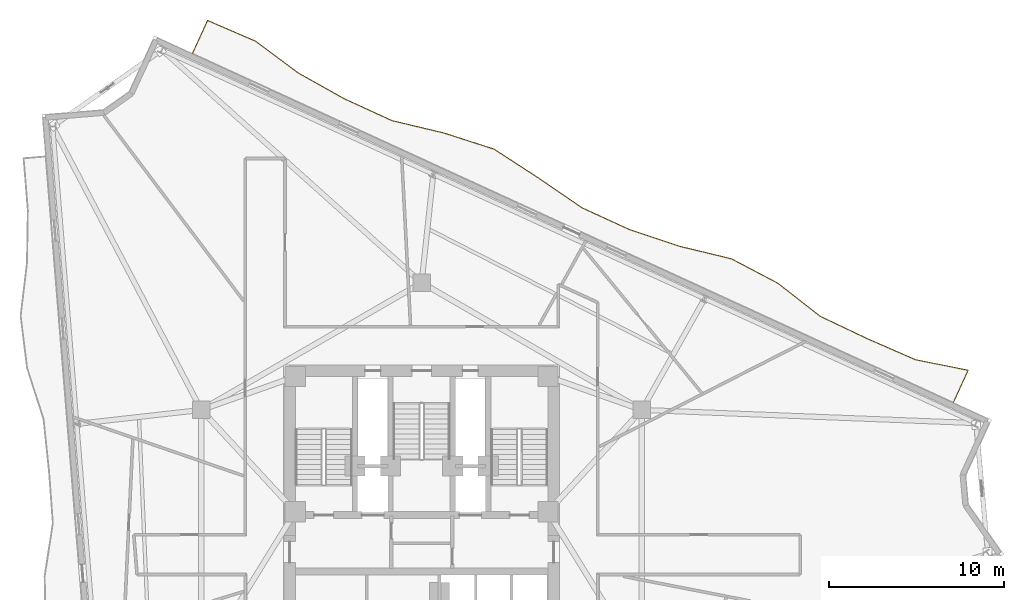
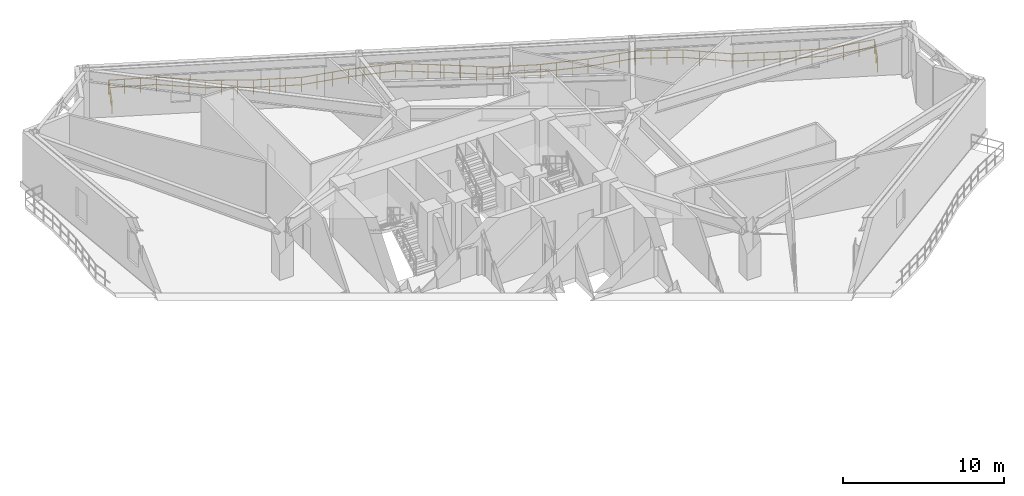
# One storey, part 14 of 14: 1 railing.
"""IFC4 building model written with IfcOpenShell, lengths in metres."""

from ifc_helpers import new_model, si_unit, direction, frame, origin, origin_2d, place, context, subcontext, project, spatial, rectangle, extrude, material, type_object, element, save


model = new_model("IFC4")

# Units and contexts
model_context = context("Model", 3, precision=1e-05, world=origin(), true_north=direction((0.0, 1.0)))
body_context = subcontext(model_context, "Body", "Model", "MODEL_VIEW")
ifc_project = project(units=[si_unit("LENGTHUNIT", "METRE"), si_unit("AREAUNIT", "SQUARE_METRE"), si_unit("VOLUMEUNIT", "CUBIC_METRE"), si_unit("PLANEANGLEUNIT", "RADIAN"), si_unit("MASSUNIT", "GRAM", prefix="KILO")], contexts=[model_context])

# Site, building, storey
site_placement = place(None, origin())
site = spatial("IfcSite", under=ifc_project, at=site_placement, CompositionType="ELEMENT")
building_placement = place(site_placement, origin())
building = spatial("IfcBuilding", under=site, at=building_placement, Name="Apsidion Concourse Tower", CompositionType="ELEMENT")
storey_placement = place(building_placement, frame((0.0, 0.0, 194.199951171875)))
storey = spatial("IfcBuildingStorey", under=building, at=storey_placement, Name="L45", CompositionType="ELEMENT", Elevation=194.199951171875)

# Railing
ifc_material = material(Name="Brushed stainless steel 316", Category="steel")
railing_type = type_object("IfcRailingType", Name="RL-BAL-1120", PredefinedType="BALUSTRADE", material=ifc_material)
railing_placement = place(storey_placement, frame((-13.060546875, 27.586181640625, 0.0)))
element("IfcRailing", 1, at=railing_placement, inside=storey, type_object=railing_type, Name="L45 Face 3 Rippling Balcony Balustrade", PredefinedType="BALUSTRADE", context=body_context, shape_type="SweptSolid", body=[
    extrude(rectangle(XDim=0.048095703125, YDim=0.048095703125, at=origin_2d()), frame((0.0, 0.0, 1.09619140625), z_axis=(0.41689592359, 0.908954228162, 0.0), x_axis=(-0.908954228162, 0.41689592359, 0.0)), (0.0, 0.0, 1.0), 2.05615234375),
    extrude(rectangle(XDim=0.048095703125, YDim=0.048095703125, at=origin_2d()), frame((0.0, 0.0, 0.5361328125), z_axis=(0.41689592359, 0.908954228162, 0.0), x_axis=(-0.908954228162, 0.41689592359, 0.0)), (0.0, 0.0, 1.0), 2.05615234375),
    extrude(rectangle(XDim=0.048095703125, YDim=0.048095703125, at=origin_2d()), frame((0.857177734375, 1.868896484375, 1.09619140625), z_axis=(0.918032571918, -0.39650497714, 0.0), x_axis=(0.39650497714, 0.918032571918, 0.0)), (0.0, 0.0, 1.0), 2.98388671875),
    extrude(rectangle(XDim=0.048095703125, YDim=0.048095703125, at=origin_2d()), frame((0.857177734375, 1.868896484375, 0.5361328125), z_axis=(0.918032571918, -0.39650497714, 0.0), x_axis=(0.39650497714, 0.918032571918, 0.0)), (0.0, 0.0, 1.0), 2.98388671875),
    extrude(rectangle(XDim=0.048095703125, YDim=0.048095703125, at=origin_2d()), frame((3.596435546875, 0.685791015625, 1.09619140625), z_axis=(0.802490844642, -0.596664431875, 0.0), x_axis=(0.596664431875, 0.802490844642, 0.0)), (0.0, 0.0, 1.0), 3.049560546875),
    extrude(rectangle(XDim=0.048095703125, YDim=0.048095703125, at=origin_2d()), frame((3.596435546875, 0.685791015625, 0.5361328125), z_axis=(0.802490844642, -0.596664431875, 0.0), x_axis=(0.596664431875, 0.802490844642, 0.0)), (0.0, 0.0, 1.0), 3.049560546875),
    extrude(rectangle(XDim=0.048095703125, YDim=0.048095703125, at=origin_2d()), frame((6.043701171875, -1.1337890625, 1.09619140625), z_axis=(0.872671528084, -0.488307694052, 0.0), x_axis=(0.488307694052, 0.872671528084, 0.0)), (0.0, 0.0, 1.0), 2.992431640625),
    extrude(rectangle(XDim=0.048095703125, YDim=0.048095703125, at=origin_2d()), frame((6.043701171875, -1.1337890625, 0.5361328125), z_axis=(0.872671528084, -0.488307694052, 0.0), x_axis=(0.488307694052, 0.872671528084, 0.0)), (0.0, 0.0, 1.0), 2.992431640625),
    extrude(rectangle(XDim=0.048095703125, YDim=0.048095703125, at=origin_2d()), frame((8.655029296875, -2.594970703125, 1.09619140625), z_axis=(0.9089485399, -0.416908325432, 0.0), x_axis=(0.416908325432, 0.9089485399, 0.0)), (0.0, 0.0, 1.0), 2.983154296875),
    extrude(rectangle(XDim=0.048095703125, YDim=0.048095703125, at=origin_2d()), frame((8.655029296875, -2.594970703125, 0.5361328125), z_axis=(0.9089485399, -0.416908325432, 0.0), x_axis=(0.416908325432, 0.9089485399, 0.0)), (0.0, 0.0, 1.0), 2.983154296875),
    extrude(rectangle(XDim=0.048095703125, YDim=0.048095703125, at=origin_2d()), frame((11.366455078125, -3.838623046875, 1.09619140625), z_axis=(0.972715699765, -0.232000360842, 0.0), x_axis=(0.232000360842, 0.972715699765, 0.0)), (0.0, 0.0, 1.0), 3.041259765625),
    extrude(rectangle(XDim=0.048095703125, YDim=0.048095703125, at=origin_2d()), frame((11.366455078125, -3.838623046875, 0.5361328125), z_axis=(0.972715699765, -0.232000360842, 0.0), x_axis=(0.232000360842, 0.972715699765, 0.0)), (0.0, 0.0, 1.0), 3.041259765625),
    extrude(rectangle(XDim=0.048095703125, YDim=0.048095703125, at=origin_2d()), frame((14.32470703125, -4.544189453125, 1.09619140625), z_axis=(0.951986273475, -0.306140711301, 0.0), x_axis=(0.306140711301, 0.951986273475, 0.0)), (0.0, 0.0, 1.0), 3.004150390625),
    extrude(rectangle(XDim=0.048095703125, YDim=0.048095703125, at=origin_2d()), frame((14.32470703125, -4.544189453125, 0.5361328125), z_axis=(0.951986273475, -0.306140711301, 0.0), x_axis=(0.306140711301, 0.951986273475, 0.0)), (0.0, 0.0, 1.0), 3.004150390625),
    extrude(rectangle(XDim=0.048095703125, YDim=0.048095703125, at=origin_2d()), frame((17.1845703125, -5.4638671875, 1.09619140625), z_axis=(0.83902223451, -0.544097132871, 0.0), x_axis=(0.544097132871, 0.83902223451, 0.0)), (0.0, 0.0, 1.0), 3.014892578125),
    extrude(rectangle(XDim=0.048095703125, YDim=0.048095703125, at=origin_2d()), frame((17.1845703125, -5.4638671875, 0.5361328125), z_axis=(0.83902223451, -0.544097132871, 0.0), x_axis=(0.544097132871, 0.83902223451, 0.0)), (0.0, 0.0, 1.0), 3.014892578125),
    extrude(rectangle(XDim=0.048095703125, YDim=0.048095703125, at=origin_2d()), frame((19.714111328125, -7.104248046875, 1.09619140625), z_axis=(0.825275603053, -0.564730182482, 0.0), x_axis=(0.564730182482, 0.825275603053, 0.0)), (0.0, 0.0, 1.0), 3.026611328125),
    extrude(rectangle(XDim=0.048095703125, YDim=0.048095703125, at=origin_2d()), frame((19.714111328125, -7.104248046875, 0.5361328125), z_axis=(0.825275603053, -0.564730182482, 0.0), x_axis=(0.564730182482, 0.825275603053, 0.0)), (0.0, 0.0, 1.0), 3.026611328125),
    extrude(rectangle(XDim=0.048095703125, YDim=0.048095703125, at=origin_2d()), frame((22.2119140625, -8.8134765625, 1.09619140625), z_axis=(0.908903293118, -0.417006958887, 0.0), x_axis=(0.417006958887, 0.908903293118, 0.0)), (0.0, 0.0, 1.0), 2.98291015625),
    extrude(rectangle(XDim=0.048095703125, YDim=0.048095703125, at=origin_2d()), frame((22.2119140625, -8.8134765625, 0.5361328125), z_axis=(0.908903293118, -0.417006958887, 0.0), x_axis=(0.417006958887, 0.908903293118, 0.0)), (0.0, 0.0, 1.0), 2.98291015625),
    extrude(rectangle(XDim=0.048095703125, YDim=0.048095703125, at=origin_2d()), frame((24.923095703125, -10.057373046875, 1.09619140625), z_axis=(0.948845882902, -0.315739592861, 0.0), x_axis=(0.315739592861, 0.948845882902, 0.0)), (0.0, 0.0, 1.0), 3.0009765625),
    extrude(rectangle(XDim=0.048095703125, YDim=0.048095703125, at=origin_2d()), frame((24.923095703125, -10.057373046875, 0.5361328125), z_axis=(0.948845882902, -0.315739592861, 0.0), x_axis=(0.315739592861, 0.948845882902, 0.0)), (0.0, 0.0, 1.0), 3.0009765625),
    extrude(rectangle(XDim=0.048095703125, YDim=0.048095703125, at=origin_2d()), frame((27.7705078125, -11.0048828125, 1.09619140625), z_axis=(0.972003176559, -0.234967710036, 0.0), x_axis=(0.234967710036, 0.972003176559, 0.0)), (0.0, 0.0, 1.0), 3.039306640625),
    extrude(rectangle(XDim=0.048095703125, YDim=0.048095703125, at=origin_2d()), frame((27.7705078125, -11.0048828125, 0.5361328125), z_axis=(0.972003176559, -0.234967710036, 0.0), x_axis=(0.234967710036, 0.972003176559, 0.0)), (0.0, 0.0, 1.0), 3.039306640625),
    extrude(rectangle(XDim=0.048095703125, YDim=0.048095703125, at=origin_2d()), frame((30.724609375, -11.718994140625, 1.09619140625), z_axis=(0.885086579221, -0.465426414466, 0.0), x_axis=(0.465426414466, 0.885086579221, 0.0)), (0.0, 0.0, 1.0), 2.9873046875),
    extrude(rectangle(XDim=0.048095703125, YDim=0.048095703125, at=origin_2d()), frame((30.724609375, -11.718994140625, 0.5361328125), z_axis=(0.885086579221, -0.465426414466, 0.0), x_axis=(0.465426414466, 0.885086579221, 0.0)), (0.0, 0.0, 1.0), 2.9873046875),
    extrude(rectangle(XDim=0.048095703125, YDim=0.048095703125, at=origin_2d()), frame((33.36865234375, -13.109375, 1.09619140625), z_axis=(0.788102838837, -0.615543593433, 0.0), x_axis=(0.615543593433, 0.788102838837, 0.0)), (0.0, 0.0, 1.0), 3.06591796875),
    extrude(rectangle(XDim=0.048095703125, YDim=0.048095703125, at=origin_2d()), frame((33.36865234375, -13.109375, 0.5361328125), z_axis=(0.788102838837, -0.615543593433, 0.0), x_axis=(0.615543593433, 0.788102838837, 0.0)), (0.0, 0.0, 1.0), 3.06591796875),
    extrude(rectangle(XDim=0.048095703125, YDim=0.048095703125, at=origin_2d()), frame((35.784912109375, -14.99658203125, 1.09619140625), z_axis=(0.903342514724, -0.428919923869, 0.0), x_axis=(0.428919923869, 0.903342514724, 0.0)), (0.0, 0.0, 1.0), 2.983154296875),
    extrude(rectangle(XDim=0.048095703125, YDim=0.048095703125, at=origin_2d()), frame((35.784912109375, -14.99658203125, 0.5361328125), z_axis=(0.903342514724, -0.428919923869, 0.0), x_axis=(0.428919923869, 0.903342514724, 0.0)), (0.0, 0.0, 1.0), 2.983154296875),
    extrude(rectangle(XDim=0.048095703125, YDim=0.048095703125, at=origin_2d()), frame((38.479736328125, -16.276123046875, 1.09619140625), z_axis=(0.916530652491, -0.399964452225, 0.0), x_axis=(0.399964452225, 0.916530652491, 0.0)), (0.0, 0.0, 1.0), 2.983642578125),
    extrude(rectangle(XDim=0.048095703125, YDim=0.048095703125, at=origin_2d()), frame((38.479736328125, -16.276123046875, 0.5361328125), z_axis=(0.916530652491, -0.399964452225, 0.0), x_axis=(0.399964452225, 0.916530652491, 0.0)), (0.0, 0.0, 1.0), 2.983642578125),
    extrude(rectangle(XDim=0.048095703125, YDim=0.048095703125, at=origin_2d()), frame((41.21435546875, -17.469482421875, 1.09619140625), z_axis=(0.980421037708, -0.196912642608, 0.0), x_axis=(0.196912642608, 0.980421037708, 0.0)), (0.0, 0.0, 1.0), 3.06494140625),
    extrude(rectangle(XDim=0.048095703125, YDim=0.048095703125, at=origin_2d()), frame((41.21435546875, -17.469482421875, 0.5361328125), z_axis=(0.980421037708, -0.196912642608, 0.0), x_axis=(0.196912642608, 0.980421037708, 0.0)), (0.0, 0.0, 1.0), 3.06494140625),
    extrude(rectangle(XDim=0.048095703125, YDim=0.048095703125, at=origin_2d()), frame((44.21923828125, -18.072998046875, 1.09619140625), z_axis=(-0.416930773901, -0.908938243102, 0.0), x_axis=(0.908938243102, -0.416930773901, 0.0)), (0.0, 0.0, 1.0), 2.009765625),
    extrude(rectangle(XDim=0.048095703125, YDim=0.048095703125, at=origin_2d()), frame((44.21923828125, -18.072998046875, 0.5361328125), z_axis=(-0.416930773901, -0.908938243102, 0.0), x_axis=(0.908938243102, -0.416930773901, 0.0)), (0.0, 0.0, 1.0), 2.009765625),
    extrude(rectangle(XDim=0.0419921875, YDim=0.0419921875, at=origin_2d()), origin(), (0.0, 0.0, 1.0), 1.072021484375),
    extrude(rectangle(XDim=0.0419921875, YDim=0.0419921875, at=origin_2d()), frame((0.4287109375, 0.9345703125, 0.0)), (0.0, 0.0, 1.0), 1.072021484375),
    extrude(rectangle(XDim=0.0419921875, YDim=0.0419921875, at=origin_2d()), frame((0.857177734375, 1.868896484375, 0.0)), (0.0, 0.0, 1.0), 1.072021484375),
    extrude(rectangle(XDim=0.0419921875, YDim=0.0419921875, at=origin_2d()), frame((1.770263671875, 1.474609375, 0.0)), (0.0, 0.0, 1.0), 1.072021484375),
    extrude(rectangle(XDim=0.0419921875, YDim=0.0419921875, at=origin_2d()), frame((2.683349609375, 1.080078125, 0.0)), (0.0, 0.0, 1.0), 1.072021484375),
    extrude(rectangle(XDim=0.0419921875, YDim=0.0419921875, at=origin_2d()), frame((3.596435546875, 0.685791015625, 0.0)), (0.0, 0.0, 1.0), 1.072021484375),
    extrude(rectangle(XDim=0.0419921875, YDim=0.0419921875, at=origin_2d()), frame((4.412109375, 0.079345703125, 0.0)), (0.0, 0.0, 1.0), 1.072021484375),
    extrude(rectangle(XDim=0.0419921875, YDim=0.0419921875, at=origin_2d()), frame((5.22802734375, -0.52734375, 0.0)), (0.0, 0.0, 1.0), 1.072021484375),
    extrude(rectangle(XDim=0.0419921875, YDim=0.0419921875, at=origin_2d()), frame((6.043701171875, -1.1337890625, 0.0)), (0.0, 0.0, 1.0), 1.072021484375),
    extrude(rectangle(XDim=0.0419921875, YDim=0.0419921875, at=origin_2d()), frame((6.9140625, -1.620849609375, 0.0)), (0.0, 0.0, 1.0), 1.072021484375),
    extrude(rectangle(XDim=0.0419921875, YDim=0.0419921875, at=origin_2d()), frame((7.78466796875, -2.10791015625, 0.0)), (0.0, 0.0, 1.0), 1.072021484375),
    extrude(rectangle(XDim=0.0419921875, YDim=0.0419921875, at=origin_2d()), frame((8.655029296875, -2.594970703125, 0.0)), (0.0, 0.0, 1.0), 1.072021484375),
    extrude(rectangle(XDim=0.0419921875, YDim=0.0419921875, at=origin_2d()), frame((9.558837890625, -3.009521484375, 0.0)), (0.0, 0.0, 1.0), 1.072021484375),
    extrude(rectangle(XDim=0.0419921875, YDim=0.0419921875, at=origin_2d()), frame((10.462646484375, -3.424072265625, 0.0)), (0.0, 0.0, 1.0), 1.072021484375),
    extrude(rectangle(XDim=0.0419921875, YDim=0.0419921875, at=origin_2d()), frame((11.366455078125, -3.838623046875, 0.0)), (0.0, 0.0, 1.0), 1.072021484375),
    extrude(rectangle(XDim=0.0419921875, YDim=0.0419921875, at=origin_2d()), frame((12.3525390625, -4.07373046875, 0.0)), (0.0, 0.0, 1.0), 1.072021484375),
    extrude(rectangle(XDim=0.0419921875, YDim=0.0419921875, at=origin_2d()), frame((13.338623046875, -4.30908203125, 0.0)), (0.0, 0.0, 1.0), 1.072021484375),
    extrude(rectangle(XDim=0.0419921875, YDim=0.0419921875, at=origin_2d()), frame((14.32470703125, -4.544189453125, 0.0)), (0.0, 0.0, 1.0), 1.072021484375),
    extrude(rectangle(XDim=0.0419921875, YDim=0.0419921875, at=origin_2d()), frame((15.278076171875, -4.850830078125, 0.0)), (0.0, 0.0, 1.0), 1.072021484375),
    extrude(rectangle(XDim=0.0419921875, YDim=0.0419921875, at=origin_2d()), frame((16.231201171875, -5.1572265625, 0.0)), (0.0, 0.0, 1.0), 1.072021484375),
    extrude(rectangle(XDim=0.0419921875, YDim=0.0419921875, at=origin_2d()), frame((17.1845703125, -5.4638671875, 0.0)), (0.0, 0.0, 1.0), 1.072021484375),
    extrude(rectangle(XDim=0.0419921875, YDim=0.0419921875, at=origin_2d()), frame((18.02783203125, -6.0107421875, 0.0)), (0.0, 0.0, 1.0), 1.072021484375),
    extrude(rectangle(XDim=0.0419921875, YDim=0.0419921875, at=origin_2d()), frame((18.870849609375, -6.557373046875, 0.0)), (0.0, 0.0, 1.0), 1.072021484375),
    extrude(rectangle(XDim=0.0419921875, YDim=0.0419921875, at=origin_2d()), frame((19.714111328125, -7.104248046875, 0.0)), (0.0, 0.0, 1.0), 1.072021484375),
    extrude(rectangle(XDim=0.0419921875, YDim=0.0419921875, at=origin_2d()), frame((20.546630859375, -7.674072265625, 0.0)), (0.0, 0.0, 1.0), 1.072021484375),
    extrude(rectangle(XDim=0.0419921875, YDim=0.0419921875, at=origin_2d()), frame((21.37939453125, -8.24365234375, 0.0)), (0.0, 0.0, 1.0), 1.072021484375),
    extrude(rectangle(XDim=0.0419921875, YDim=0.0419921875, at=origin_2d()), frame((22.2119140625, -8.8134765625, 0.0)), (0.0, 0.0, 1.0), 1.072021484375),
    extrude(rectangle(XDim=0.0419921875, YDim=0.0419921875, at=origin_2d()), frame((23.11572265625, -9.22802734375, 0.0)), (0.0, 0.0, 1.0), 1.072021484375),
    extrude(rectangle(XDim=0.0419921875, YDim=0.0419921875, at=origin_2d()), frame((24.019287109375, -9.642822265625, 0.0)), (0.0, 0.0, 1.0), 1.072021484375),
    extrude(rectangle(XDim=0.0419921875, YDim=0.0419921875, at=origin_2d()), frame((24.923095703125, -10.057373046875, 0.0)), (0.0, 0.0, 1.0), 1.072021484375),
    extrude(rectangle(XDim=0.0419921875, YDim=0.0419921875, at=origin_2d()), frame((25.872314453125, -10.373291015625, 0.0)), (0.0, 0.0, 1.0), 1.072021484375),
    extrude(rectangle(XDim=0.0419921875, YDim=0.0419921875, at=origin_2d()), frame((26.8212890625, -10.68896484375, 0.0)), (0.0, 0.0, 1.0), 1.072021484375),
    extrude(rectangle(XDim=0.0419921875, YDim=0.0419921875, at=origin_2d()), frame((27.7705078125, -11.0048828125, 0.0)), (0.0, 0.0, 1.0), 1.072021484375),
    extrude(rectangle(XDim=0.0419921875, YDim=0.0419921875, at=origin_2d()), frame((28.755126953125, -11.242919921875, 0.0)), (0.0, 0.0, 1.0), 1.072021484375),
    extrude(rectangle(XDim=0.0419921875, YDim=0.0419921875, at=origin_2d()), frame((29.739990234375, -11.48095703125, 0.0)), (0.0, 0.0, 1.0), 1.072021484375),
    extrude(rectangle(XDim=0.0419921875, YDim=0.0419921875, at=origin_2d()), frame((30.724609375, -11.718994140625, 0.0)), (0.0, 0.0, 1.0), 1.072021484375),
    extrude(rectangle(XDim=0.0419921875, YDim=0.0419921875, at=origin_2d()), frame((31.60595703125, -12.182373046875, 0.0)), (0.0, 0.0, 1.0), 1.072021484375),
    extrude(rectangle(XDim=0.0419921875, YDim=0.0419921875, at=origin_2d()), frame((32.4873046875, -12.64599609375, 0.0)), (0.0, 0.0, 1.0), 1.072021484375),
    extrude(rectangle(XDim=0.0419921875, YDim=0.0419921875, at=origin_2d()), frame((33.36865234375, -13.109375, 0.0)), (0.0, 0.0, 1.0), 1.072021484375),
    extrude(rectangle(XDim=0.0419921875, YDim=0.0419921875, at=origin_2d()), frame((34.174072265625, -13.738525390625, 0.0)), (0.0, 0.0, 1.0), 1.072021484375),
    extrude(rectangle(XDim=0.0419921875, YDim=0.0419921875, at=origin_2d()), frame((34.9794921875, -14.367431640625, 0.0)), (0.0, 0.0, 1.0), 1.072021484375),
    extrude(rectangle(XDim=0.0419921875, YDim=0.0419921875, at=origin_2d()), frame((35.784912109375, -14.99658203125, 0.0)), (0.0, 0.0, 1.0), 1.072021484375),
    extrude(rectangle(XDim=0.0419921875, YDim=0.0419921875, at=origin_2d()), frame((36.68310546875, -15.423095703125, 0.0)), (0.0, 0.0, 1.0), 1.072021484375),
    extrude(rectangle(XDim=0.0419921875, YDim=0.0419921875, at=origin_2d()), frame((37.58154296875, -15.849609375, 0.0)), (0.0, 0.0, 1.0), 1.072021484375),
    extrude(rectangle(XDim=0.0419921875, YDim=0.0419921875, at=origin_2d()), frame((38.479736328125, -16.276123046875, 0.0)), (0.0, 0.0, 1.0), 1.072021484375),
    extrude(rectangle(XDim=0.0419921875, YDim=0.0419921875, at=origin_2d()), frame((39.391357421875, -16.673828125, 0.0)), (0.0, 0.0, 1.0), 1.072021484375),
    extrude(rectangle(XDim=0.0419921875, YDim=0.0419921875, at=origin_2d()), frame((40.302734375, -17.07177734375, 0.0)), (0.0, 0.0, 1.0), 1.072021484375),
    extrude(rectangle(XDim=0.0419921875, YDim=0.0419921875, at=origin_2d()), frame((41.21435546875, -17.469482421875, 0.0)), (0.0, 0.0, 1.0), 1.072021484375),
    extrude(rectangle(XDim=0.0419921875, YDim=0.0419921875, at=origin_2d()), frame((42.216064453125, -17.670654296875, 0.0)), (0.0, 0.0, 1.0), 1.072021484375),
    extrude(rectangle(XDim=0.0419921875, YDim=0.0419921875, at=origin_2d()), frame((43.217529296875, -17.871826171875, 0.0)), (0.0, 0.0, 1.0), 1.072021484375),
    extrude(rectangle(XDim=0.0419921875, YDim=0.0419921875, at=origin_2d()), frame((44.21923828125, -18.072998046875, 0.0)), (0.0, 0.0, 1.0), 1.072021484375),
    extrude(rectangle(XDim=0.0419921875, YDim=0.0419921875, at=origin_2d()), frame((43.80029296875, -18.986328125, 0.0)), (0.0, 0.0, 1.0), 1.072021484375),
    extrude(rectangle(XDim=0.0419921875, YDim=0.0419921875, at=origin_2d()), frame((43.38134765625, -19.899658203125, 0.0)), (0.0, 0.0, 1.0), 1.072021484375),
])

save(model, "model.ifc")
